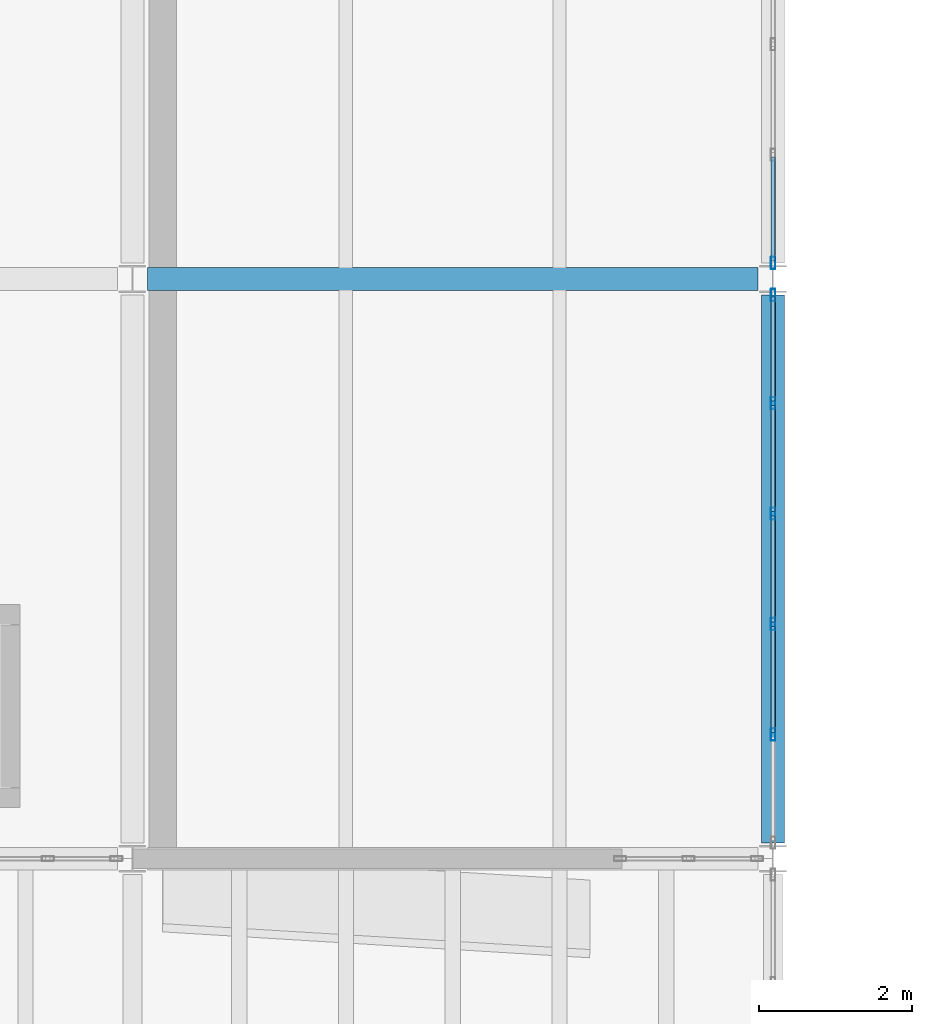
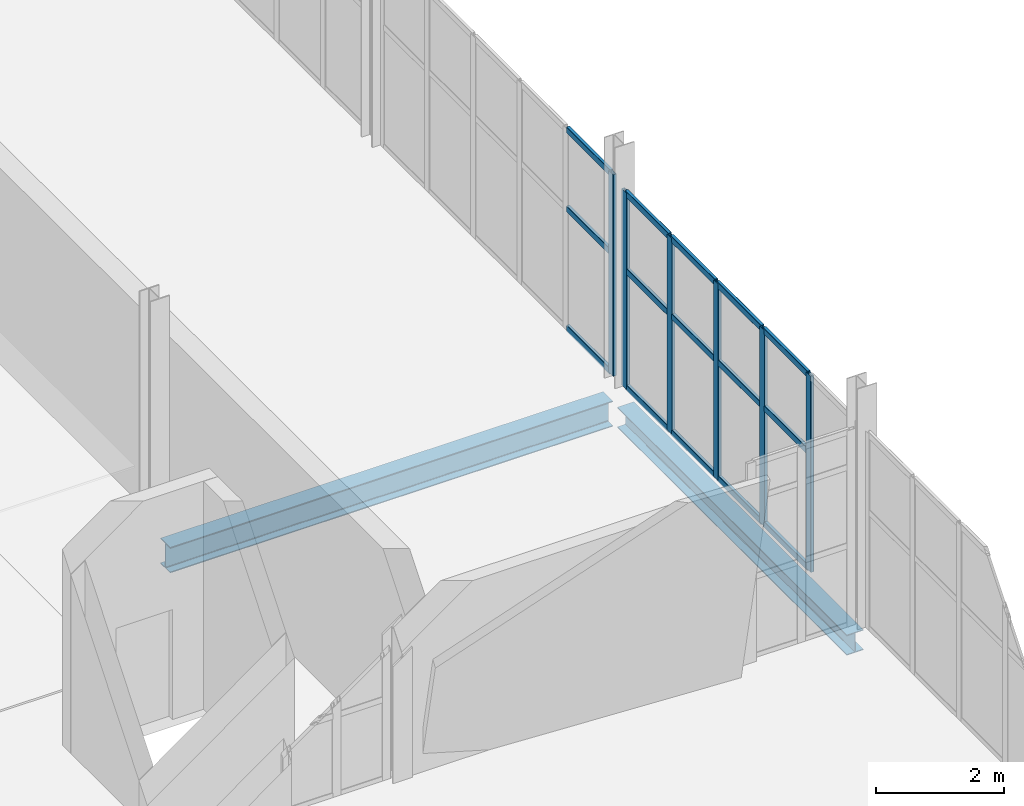
# One storey, part 37 of 172: 21 members, 2 beams, 2 elements without a shape of their own.
"""IFC4 building model written with IfcOpenShell, lengths in metres."""

from ifc_helpers import new_model, si_unit, direction, frame, origin, origin_2d, place, context, subcontext, project, spatial, hollow_rectangle, i_section, extrude, material, material_profile, profile_set, type_object, element, aggregate, save


model = new_model("IFC4")

# Units and contexts
model_context = context("Model", 3, precision=1e-05, world=origin(), true_north=direction((0.0, 1.0)))
body_context = subcontext(model_context, "Body", "Model", "MODEL_VIEW")
ifc_project = project(units=[si_unit("LENGTHUNIT", "METRE"), si_unit("AREAUNIT", "SQUARE_METRE"), si_unit("VOLUMEUNIT", "CUBIC_METRE"), si_unit("PLANEANGLEUNIT", "RADIAN"), si_unit("MASSUNIT", "GRAM", prefix="KILO")], contexts=[model_context])

# Site, building, storey
site_placement = place(None, origin())
site = spatial("IfcSite", under=ifc_project, at=site_placement, CompositionType="ELEMENT")
building_placement = place(site_placement, origin())
building = spatial("IfcBuilding", under=site, at=building_placement, Name="Shengluoqiao Park Theatre", CompositionType="ELEMENT")
storey_placement = place(building_placement, frame((0.0, 0.0, 5.39990234375)))
storey = spatial("IfcBuildingStorey", under=building, at=storey_placement, Name="L01", CompositionType="ELEMENT", Elevation=5.39990234375)

# Curtain wall, members
ifc_material_1 = material(Name="Aluminium 6063-T6", Category="aluminium")
curtain_wall_type = type_object("IfcCurtainWallType", Name="ENV-CW-COURT", PredefinedType="NOTDEFINED", material=ifc_material_1)
curtain_wall_1_placement = place(storey_placement, origin())
curtain_wall_1 = element("IfcCurtainWall", 1, at=curtain_wall_1_placement, inside=storey, type_object=curtain_wall_type, Name="L01 Curtain Wall CWX-L01-0020", PredefinedType="NOTDEFINED")
ifc_material_profile_1 = material_profile(ifc_material_1, hollow_rectangle(XDim=0.06005859375, YDim=0.159912109375, WallThickness=0.00390625, InnerFilletRadius=0.00390625, OuterFilletRadius=0.008056640625, at=origin_2d()), Name="ALU MULLION 160x60x4")
ifc_profile_set_1 = profile_set([ifc_material_profile_1], Name="Aluminium 6063-T6")
member_type_1 = type_object("IfcMemberType", Name="ENV-MUL-160", PredefinedType="MULLION", material=ifc_profile_set_1)
member_1_placement = place(storey_placement, frame((36.0, 32.02734375, 0.0), z_axis=(0.0, 0.0, 1.0), x_axis=(-1.0, 0.0, 0.0)))
member_1 = element("IfcMember", 2, at=member_1_placement, type_object=member_type_1, Name="CW-05 mullion 2", PredefinedType="MULLION", context=body_context, shape_type="SweptSolid", body=[
    extrude(hollow_rectangle(XDim=0.06005859375, YDim=0.159912109375, WallThickness=0.00390625, InnerFilletRadius=0.00390625, OuterFilletRadius=0.008056640625, at=origin_2d()), origin(), (0.0, 0.0, 1.0), 3.75),
])
member_2_placement = place(storey_placement, frame((36.0, 33.475830078125, 0.0), z_axis=(0.0, 0.0, 1.0), x_axis=(-1.0, 0.0, 0.0)))
member_2 = element("IfcMember", 3, at=member_2_placement, type_object=member_type_1, Name="CW-05 mullion 3", PredefinedType="MULLION", context=body_context, shape_type="SweptSolid", body=[
    extrude(hollow_rectangle(XDim=0.06005859375, YDim=0.159912109375, WallThickness=0.00390625, InnerFilletRadius=0.00390625, OuterFilletRadius=0.008056640625, at=origin_2d()), origin(), (0.0, 0.0, 1.0), 3.75),
])
member_3_placement = place(storey_placement, frame((36.0, 34.92431640625, 0.0), z_axis=(0.0, 0.0, 1.0), x_axis=(-1.0, 0.0, 0.0)))
member_3 = element("IfcMember", 4, at=member_3_placement, type_object=member_type_1, Name="CW-05 mullion 4", PredefinedType="MULLION", context=body_context, shape_type="SweptSolid", body=[
    extrude(hollow_rectangle(XDim=0.06005859375, YDim=0.159912109375, WallThickness=0.00390625, InnerFilletRadius=0.00390625, OuterFilletRadius=0.008056640625, at=origin_2d()), origin(), (0.0, 0.0, 1.0), 3.75),
])
member_4_placement = place(storey_placement, frame((36.0, 36.37255859375, 0.0), z_axis=(0.0, 0.0, 1.0), x_axis=(-1.0, 0.0, 0.0)))
member_4 = element("IfcMember", 5, at=member_4_placement, type_object=member_type_1, Name="CW-05 mullion 5", PredefinedType="MULLION", context=body_context, shape_type="SweptSolid", body=[
    extrude(hollow_rectangle(XDim=0.06005859375, YDim=0.159912109375, WallThickness=0.00390625, InnerFilletRadius=0.00390625, OuterFilletRadius=0.008056640625, at=origin_2d()), origin(), (0.0, 0.0, 1.0), 3.75),
])
member_5_placement = place(storey_placement, frame((36.0, 37.791015625, 0.0), z_axis=(0.0, 0.0, 1.0), x_axis=(-1.0, 0.0, 0.0)))
member_5 = element("IfcMember", 6, at=member_5_placement, type_object=member_type_1, Name="CW-05 mullion 6", PredefinedType="MULLION", context=body_context, shape_type="SweptSolid", body=[
    extrude(hollow_rectangle(XDim=0.06005859375, YDim=0.159912109375, WallThickness=0.00390625, InnerFilletRadius=0.00390625, OuterFilletRadius=0.008056640625, at=origin_2d()), origin(), (0.0, 0.0, 1.0), 3.75),
])

# Curtain wall, member
curtain_wall_2_placement = place(storey_placement, origin())
curtain_wall_2 = element("IfcCurtainWall", 7, at=curtain_wall_2_placement, inside=storey, type_object=curtain_wall_type, Name="L01 Curtain Wall CWX-L01-0021", PredefinedType="NOTDEFINED")
member_6_placement = place(storey_placement, frame((36.0, 38.208984375, 0.0), z_axis=(0.0, 0.0, 1.0), x_axis=(-1.0, 0.0, 0.0)))
member_6 = element("IfcMember", 8, at=member_6_placement, type_object=member_type_1, Name="CW-05 mullion 1", PredefinedType="MULLION", context=body_context, shape_type="SweptSolid", body=[
    extrude(hollow_rectangle(XDim=0.06005859375, YDim=0.159912109375, WallThickness=0.00390625, InnerFilletRadius=0.00390625, OuterFilletRadius=0.008056640625, at=origin_2d()), origin(), (0.0, 0.0, 1.0), 3.85009765625),
])

# Member
ifc_material_profile_2 = material_profile(ifc_material_1, hollow_rectangle(XDim=0.06005859375, YDim=0.1201171875, WallThickness=0.00390625, InnerFilletRadius=0.00390625, OuterFilletRadius=0.008056640625, at=origin_2d()), Name="ALU TRANSOM 120x60x4")
ifc_profile_set_2 = profile_set([ifc_material_profile_2], Name="Aluminium 6063-T6")
member_type_2 = type_object("IfcMemberType", Name="ENV-TRN-120", PredefinedType="USERDEFINED", material=ifc_profile_set_2)
member_7_placement = place(storey_placement, frame((36.0, 32.057373046875, 0.030029296875), z_axis=(0.0, 1.0, 0.0), x_axis=(-1.0, 0.0, 0.0)))
member_7 = element("IfcMember", 9, at=member_7_placement, type_object=member_type_2, Name="CW-05 transom 2.1", ObjectType="TRANSOM", PredefinedType="USERDEFINED", context=body_context, shape_type="SweptSolid", body=[
    extrude(hollow_rectangle(XDim=0.06005859375, YDim=0.1201171875, WallThickness=0.00390625, InnerFilletRadius=0.00390625, OuterFilletRadius=0.008056640625, at=origin_2d()), origin(), (0.0, 0.0, 1.0), 1.388427734375),
])

member_8_placement = place(storey_placement, frame((36.0, 32.057373046875, 2.25), z_axis=(0.0, 1.0, 0.0), x_axis=(-1.0, 0.0, 0.0)))
member_8 = element("IfcMember", 10, at=member_8_placement, type_object=member_type_2, Name="CW-05 transom 2.2", ObjectType="TRANSOM", PredefinedType="USERDEFINED", context=body_context, shape_type="SweptSolid", body=[
    extrude(hollow_rectangle(XDim=0.06005859375, YDim=0.1201171875, WallThickness=0.00390625, InnerFilletRadius=0.00390625, OuterFilletRadius=0.008056640625, at=origin_2d()), origin(), (0.0, 0.0, 1.0), 1.388427734375),
])

member_9_placement = place(storey_placement, frame((36.0, 32.057373046875, 3.72021484375), z_axis=(0.0, 1.0, 0.0), x_axis=(-1.0, 0.0, 0.0)))
member_9 = element("IfcMember", 11, at=member_9_placement, type_object=member_type_2, Name="CW-05 transom 2.3", ObjectType="TRANSOM", PredefinedType="USERDEFINED", context=body_context, shape_type="SweptSolid", body=[
    extrude(hollow_rectangle(XDim=0.06005859375, YDim=0.1201171875, WallThickness=0.00390625, InnerFilletRadius=0.00390625, OuterFilletRadius=0.008056640625, at=origin_2d()), origin(), (0.0, 0.0, 1.0), 1.388427734375),
])

member_10_placement = place(storey_placement, frame((36.0, 33.505859375, 0.030029296875), z_axis=(0.0, 1.0, 0.0), x_axis=(-1.0, 0.0, 0.0)))
member_10 = element("IfcMember", 12, at=member_10_placement, type_object=member_type_2, Name="CW-05 transom 3.1", ObjectType="TRANSOM", PredefinedType="USERDEFINED", context=body_context, shape_type="SweptSolid", body=[
    extrude(hollow_rectangle(XDim=0.06005859375, YDim=0.1201171875, WallThickness=0.00390625, InnerFilletRadius=0.00390625, OuterFilletRadius=0.008056640625, at=origin_2d()), origin(), (0.0, 0.0, 1.0), 1.388427734375),
])

member_11_placement = place(storey_placement, frame((36.0, 33.505859375, 2.25), z_axis=(0.0, 1.0, 0.0), x_axis=(-1.0, 0.0, 0.0)))
member_11 = element("IfcMember", 13, at=member_11_placement, type_object=member_type_2, Name="CW-05 transom 3.2", ObjectType="TRANSOM", PredefinedType="USERDEFINED", context=body_context, shape_type="SweptSolid", body=[
    extrude(hollow_rectangle(XDim=0.06005859375, YDim=0.1201171875, WallThickness=0.00390625, InnerFilletRadius=0.00390625, OuterFilletRadius=0.008056640625, at=origin_2d()), origin(), (0.0, 0.0, 1.0), 1.388427734375),
])

member_12_placement = place(storey_placement, frame((36.0, 33.505859375, 3.72021484375), z_axis=(0.0, 1.0, 0.0), x_axis=(-1.0, 0.0, 0.0)))
member_12 = element("IfcMember", 14, at=member_12_placement, type_object=member_type_2, Name="CW-05 transom 3.3", ObjectType="TRANSOM", PredefinedType="USERDEFINED", context=body_context, shape_type="SweptSolid", body=[
    extrude(hollow_rectangle(XDim=0.06005859375, YDim=0.1201171875, WallThickness=0.00390625, InnerFilletRadius=0.00390625, OuterFilletRadius=0.008056640625, at=origin_2d()), origin(), (0.0, 0.0, 1.0), 1.388427734375),
])

member_13_placement = place(storey_placement, frame((36.0, 34.9541015625, 0.030029296875), z_axis=(0.0, 1.0, 0.0), x_axis=(-1.0, 0.0, 0.0)))
member_13 = element("IfcMember", 15, at=member_13_placement, type_object=member_type_2, Name="CW-05 transom 4.1", ObjectType="TRANSOM", PredefinedType="USERDEFINED", context=body_context, shape_type="SweptSolid", body=[
    extrude(hollow_rectangle(XDim=0.06005859375, YDim=0.1201171875, WallThickness=0.00390625, InnerFilletRadius=0.00390625, OuterFilletRadius=0.008056640625, at=origin_2d()), origin(), (0.0, 0.0, 1.0), 1.388427734375),
])

member_14_placement = place(storey_placement, frame((36.0, 34.9541015625, 2.25), z_axis=(0.0, 1.0, 0.0), x_axis=(-1.0, 0.0, 0.0)))
member_14 = element("IfcMember", 16, at=member_14_placement, type_object=member_type_2, Name="CW-05 transom 4.2", ObjectType="TRANSOM", PredefinedType="USERDEFINED", context=body_context, shape_type="SweptSolid", body=[
    extrude(hollow_rectangle(XDim=0.06005859375, YDim=0.1201171875, WallThickness=0.00390625, InnerFilletRadius=0.00390625, OuterFilletRadius=0.008056640625, at=origin_2d()), origin(), (0.0, 0.0, 1.0), 1.388427734375),
])

member_15_placement = place(storey_placement, frame((36.0, 34.9541015625, 3.72021484375), z_axis=(0.0, 1.0, 0.0), x_axis=(-1.0, 0.0, 0.0)))
member_15 = element("IfcMember", 17, at=member_15_placement, type_object=member_type_2, Name="CW-05 transom 4.3", ObjectType="TRANSOM", PredefinedType="USERDEFINED", context=body_context, shape_type="SweptSolid", body=[
    extrude(hollow_rectangle(XDim=0.06005859375, YDim=0.1201171875, WallThickness=0.00390625, InnerFilletRadius=0.00390625, OuterFilletRadius=0.008056640625, at=origin_2d()), origin(), (0.0, 0.0, 1.0), 1.388427734375),
])

member_16_placement = place(storey_placement, frame((36.0, 36.402587890625, 0.030029296875), z_axis=(0.0, 1.0, 0.0), x_axis=(-1.0, 0.0, 0.0)))
member_16 = element("IfcMember", 18, at=member_16_placement, type_object=member_type_2, Name="CW-05 transom 5.1", ObjectType="TRANSOM", PredefinedType="USERDEFINED", context=body_context, shape_type="SweptSolid", body=[
    extrude(hollow_rectangle(XDim=0.06005859375, YDim=0.1201171875, WallThickness=0.00390625, InnerFilletRadius=0.00390625, OuterFilletRadius=0.008056640625, at=origin_2d()), origin(), (0.0, 0.0, 1.0), 1.3583984375),
])

member_17_placement = place(storey_placement, frame((36.0, 36.402587890625, 2.25), z_axis=(0.0, 1.0, 0.0), x_axis=(-1.0, 0.0, 0.0)))
member_17 = element("IfcMember", 19, at=member_17_placement, type_object=member_type_2, Name="CW-05 transom 5.2", ObjectType="TRANSOM", PredefinedType="USERDEFINED", context=body_context, shape_type="SweptSolid", body=[
    extrude(hollow_rectangle(XDim=0.06005859375, YDim=0.1201171875, WallThickness=0.00390625, InnerFilletRadius=0.00390625, OuterFilletRadius=0.008056640625, at=origin_2d()), origin(), (0.0, 0.0, 1.0), 1.3583984375),
])

member_18_placement = place(storey_placement, frame((36.0, 36.402587890625, 3.72021484375), z_axis=(0.0, 1.0, 0.0), x_axis=(-1.0, 0.0, 0.0)))
member_18 = element("IfcMember", 20, at=member_18_placement, type_object=member_type_2, Name="CW-05 transom 5.3", ObjectType="TRANSOM", PredefinedType="USERDEFINED", context=body_context, shape_type="SweptSolid", body=[
    extrude(hollow_rectangle(XDim=0.06005859375, YDim=0.1201171875, WallThickness=0.00390625, InnerFilletRadius=0.00390625, OuterFilletRadius=0.008056640625, at=origin_2d()), origin(), (0.0, 0.0, 1.0), 1.3583984375),
])

aggregate(curtain_wall_1, [member_1, member_2, member_3, member_4, member_5, member_7, member_8, member_9, member_10, member_11, member_12, member_13, member_14, member_15, member_16, member_17, member_18])

member_19_placement = place(storey_placement, frame((36.0, 38.239013671875, 0.030029296875), z_axis=(0.0, 1.0, 0.0), x_axis=(-1.0, 0.0, 0.0)))
member_19 = element("IfcMember", 21, at=member_19_placement, type_object=member_type_2, Name="CW-05 transom 1.1", ObjectType="TRANSOM", PredefinedType="USERDEFINED", context=body_context, shape_type="SweptSolid", body=[
    extrude(hollow_rectangle(XDim=0.06005859375, YDim=0.1201171875, WallThickness=0.00390625, InnerFilletRadius=0.00390625, OuterFilletRadius=0.008056640625, at=origin_2d()), origin(), (0.0, 0.0, 1.0), 1.3583984375),
])

member_20_placement = place(storey_placement, frame((36.0, 38.239013671875, 2.31005859375), z_axis=(0.0, 1.0, 0.0), x_axis=(-1.0, 0.0, 0.0)))
member_20 = element("IfcMember", 22, at=member_20_placement, type_object=member_type_2, Name="CW-05 transom 1.2", ObjectType="TRANSOM", PredefinedType="USERDEFINED", context=body_context, shape_type="SweptSolid", body=[
    extrude(hollow_rectangle(XDim=0.06005859375, YDim=0.1201171875, WallThickness=0.00390625, InnerFilletRadius=0.00390625, OuterFilletRadius=0.008056640625, at=origin_2d()), origin(), (0.0, 0.0, 1.0), 1.3583984375),
])

member_21_placement = place(storey_placement, frame((36.0, 38.239013671875, 3.820068359375), z_axis=(0.0, 1.0, 0.0), x_axis=(-1.0, 0.0, 0.0)))
member_21 = element("IfcMember", 23, at=member_21_placement, type_object=member_type_2, Name="CW-05 transom 1.3", ObjectType="TRANSOM", PredefinedType="USERDEFINED", context=body_context, shape_type="SweptSolid", body=[
    extrude(hollow_rectangle(XDim=0.06005859375, YDim=0.1201171875, WallThickness=0.00390625, InnerFilletRadius=0.00390625, OuterFilletRadius=0.008056640625, at=origin_2d()), origin(), (0.0, 0.0, 1.0), 1.3583984375),
])

aggregate(curtain_wall_2, [member_6, member_19, member_20, member_21])

# Beams
ifc_material_2 = material(Name="Steel Q355", Category="steel")
ifc_material_profile_3 = material_profile(ifc_material_2, i_section(OverallWidth=0.300048828125, OverallDepth=0.389892578125, WebThickness=0.010009765625, FlangeThickness=0.01611328125, FilletRadius=0.01806640625, at=origin_2d()), Name="HM 390x300x10x16")
ifc_profile_set_3 = profile_set([ifc_material_profile_3], Name="Steel Q355")
beam_type_1 = type_object("IfcBeamType", Name="STR-BM-G-HM390", PredefinedType="BEAM", material=ifc_profile_set_3)
beam_1_placement = place(storey_placement, frame((36.0, 30.60791015625, -0.534912109375), z_axis=(0.0, 1.0, 0.0), x_axis=(-1.0, 0.0, 0.0)))
element("IfcBeam", 24, at=beam_1_placement, inside=storey, type_object=beam_type_1, Name="L01 Transverse Girder 00399", PredefinedType="BEAM", context=body_context, shape_type="SweptSolid", body=[
    extrude(i_section(OverallWidth=0.300048828125, OverallDepth=0.389892578125, WebThickness=0.010009765625, FlangeThickness=0.01611328125, FilletRadius=0.01806640625, at=origin_2d()), origin(), (0.0, 0.0, 1.0), 7.18408203125),
])
ifc_material_profile_4 = material_profile(ifc_material_2, i_section(OverallWidth=0.300048828125, OverallDepth=0.488037109375, WebThickness=0.010986328125, FlangeThickness=0.01806640625, FilletRadius=0.02197265625, at=origin_2d()), Name="HM 488x300x11x18")
ifc_profile_set_4 = profile_set([ifc_material_profile_4], Name="Steel Q355")
beam_type_2 = type_object("IfcBeamType", Name="STR-BM-G-HM488", PredefinedType="BEAM", material=ifc_profile_set_4)
beam_2_placement = place(storey_placement, frame((27.797607421875, 38.0, -0.48388671875), z_axis=(1.0, 0.0, 0.0), x_axis=(0.0, 1.0, 0.0)))
element("IfcBeam", 25, at=beam_2_placement, inside=storey, type_object=beam_type_2, Name="L01 Primary Girder 00393", PredefinedType="BEAM", context=body_context, shape_type="SweptSolid", body=[
    extrude(i_section(OverallWidth=0.300048828125, OverallDepth=0.488037109375, WebThickness=0.010986328125, FlangeThickness=0.01806640625, FilletRadius=0.02197265625, at=origin_2d()), origin(), (0.0, 0.0, 1.0), 8.0048828125),
])

save(model, "model.ifc")
